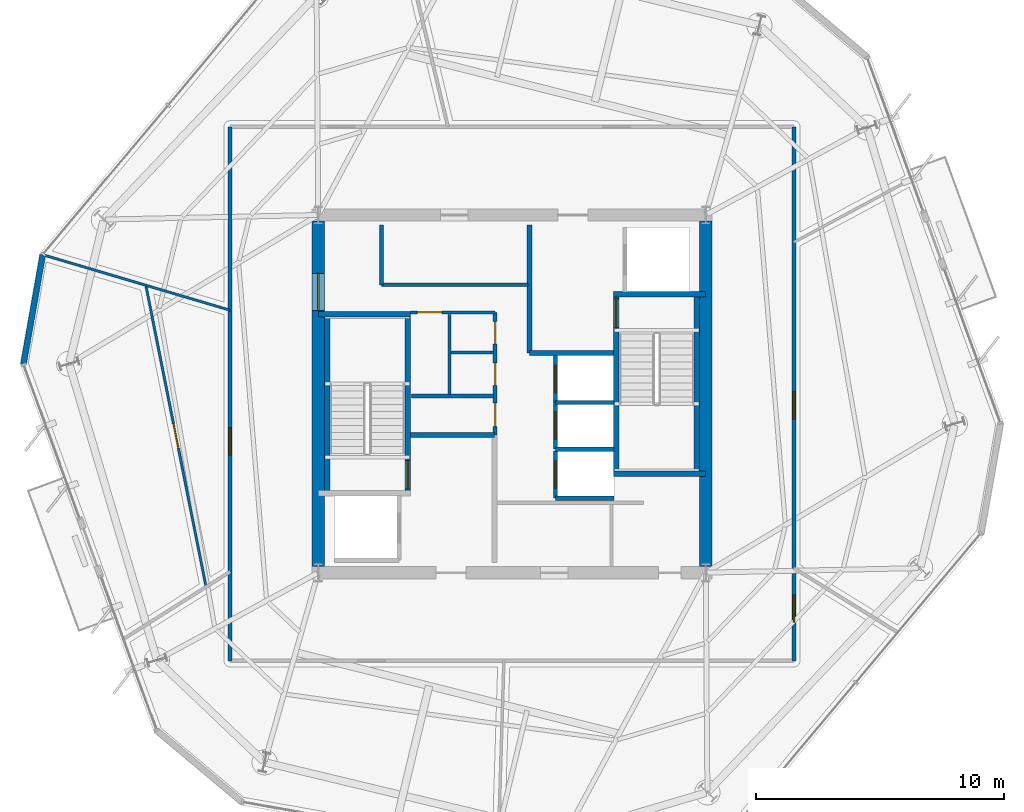
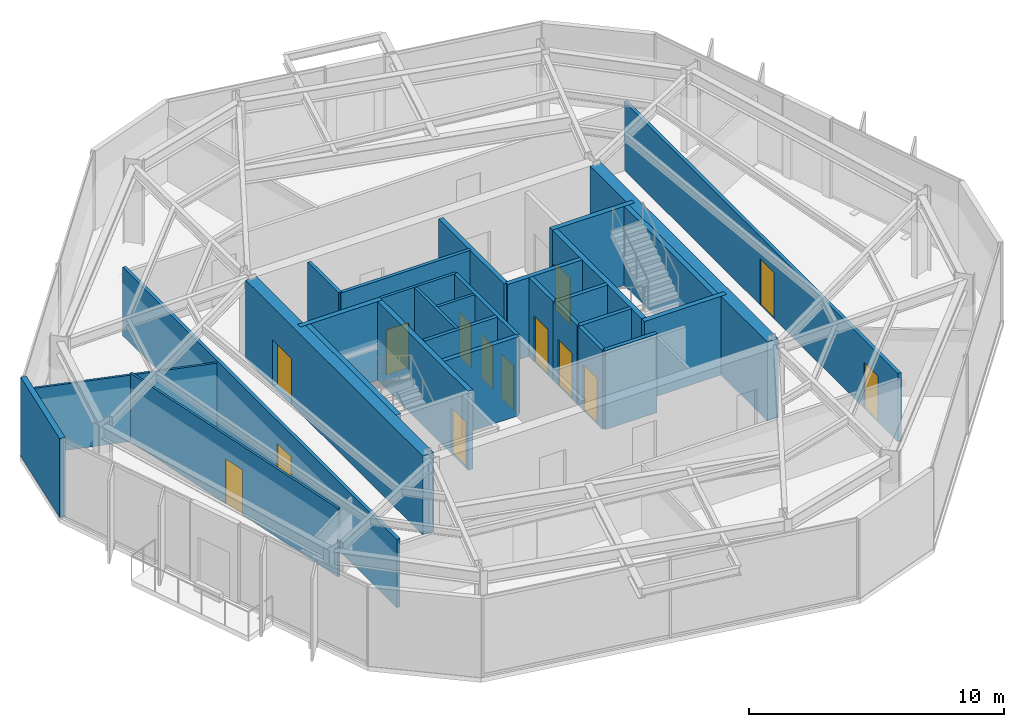
# One storey, part 7 of 11: 30 walls, 14 doors, 14 openings.
"""IFC4 building model written with IfcOpenShell, lengths in metres."""

from ifc_helpers import new_model, si_unit, direction, frame, frame_2d, origin, place, context, subcontext, project, spatial, rectangle, extrude, material, layer, layer_set, type_object, element, fill, save


model = new_model("IFC4")

# Units and contexts
model_context = context("Model", 3, precision=1e-05, world=origin(), true_north=direction((0.0, 1.0)))
body_context = subcontext(model_context, "Body", "Model", "MODEL_VIEW")
ifc_project = project(units=[si_unit("LENGTHUNIT", "METRE"), si_unit("AREAUNIT", "SQUARE_METRE"), si_unit("VOLUMEUNIT", "CUBIC_METRE"), si_unit("PLANEANGLEUNIT", "RADIAN"), si_unit("MASSUNIT", "GRAM", prefix="KILO")], contexts=[model_context])

# Site, building, storey
site_placement = place(None, origin())
site = spatial("IfcSite", under=ifc_project, at=site_placement, CompositionType="ELEMENT")
building_placement = place(site_placement, origin())
building = spatial("IfcBuilding", under=site, at=building_placement, Name="Kranzbogen Civic Tower", CompositionType="ELEMENT")
storey_placement = place(building_placement, frame((0.0, 0.0, 224.800048828125)))
storey = spatial("IfcBuildingStorey", under=building, at=storey_placement, Name="L54", CompositionType="ELEMENT", Elevation=224.800048828125)

# Walls
ifc_material_1 = material(Name="Double-Stud Acoustic Gypsum Partition")
ifc_layer_1 = layer(ifc_material_1, 0.14990234375, Name="Double-Stud Acoustic Gypsum Partition")
ifc_layer_set_1 = layer_set([ifc_layer_1], Name="Double-Stud Acoustic Gypsum Partition")
wall_type_1 = type_object("IfcWallType", Name="Acoustic Corridor and Clinical Partition 150 mm", PredefinedType="PARTITIONING", material=ifc_layer_set_1)
wall_1_placement = place(storey_placement, frame((19.75, 29.389892578125, 0.0), z_axis=(0.0, 0.0, 1.0), x_axis=(1.0, 0.0, 0.0)))
element("IfcWall", 1, at=wall_1_placement, inside=storey, type_object=wall_type_1, Name="L54 digital comms South wall", PredefinedType="PARTITIONING", context=body_context, shape_type="SweptSolid", body=[
    extrude(rectangle(XDim=5.89990234375, YDim=0.14990234375, at=frame_2d((2.949951171875, 0.0))), origin(), (0.0, 0.0, 1.0), 3.780029296875),
])
wall_2_placement = place(storey_placement, frame((19.75, 29.389892578125, 0.0), z_axis=(0.0, 0.0, 1.0), x_axis=(0.0, 1.0, 0.0)))
element("IfcWall", 2, at=wall_2_placement, inside=storey, type_object=wall_type_1, Name="L54 digital comms West wall", PredefinedType="PARTITIONING", context=body_context, shape_type="SweptSolid", body=[
    extrude(rectangle(XDim=2.41015625, YDim=0.14990234375, at=frame_2d((1.205078125, 0.0))), origin(), (0.0, 0.0, 1.0), 3.780029296875),
])

# Wall, openings, doors
wall_3_placement = place(storey_placement, frame((36.35009765625, 35.75, 0.0), z_axis=(0.0, 0.0, 1.0), x_axis=(0.0, -1.0, 0.0)))
wall_3 = element("IfcWall", 3, at=wall_3_placement, inside=storey, type_object=wall_type_1, Name="L54 corridor partition 02", PredefinedType="PARTITIONING", context=body_context, shape_type="SweptSolid", body=[
    extrude(rectangle(XDim=21.5, YDim=0.14990234375, at=frame_2d((10.75, 0.0))), origin(), (0.0, 0.0, 1.0), 3.280029296875),
])
opening_1_placement = place(wall_3_placement, frame((18.840087890625, 0.0, 0.0)))
opening_1 = element("IfcOpeningElement", 4, at=opening_1_placement, cuts=wall_3, Name="Opening D-COR60", PredefinedType="OPENING", context=body_context, shape_type="SweptSolid", body=[
    extrude(rectangle(XDim=1.10009765625, YDim=2.199951171875, at=frame_2d((0.550048828125, 1.10009765625))), frame((0.0, 0.0849609375, 0.0), z_axis=(0.0, -1.0, 0.0), x_axis=(1.0, 0.0, 0.0)), (0.0, 0.0, 1.0), 0.169921875),
])
opening_2_placement = place(wall_3_placement, frame((10.6650390625, 0.0, 0.0)))
opening_2 = element("IfcOpeningElement", 5, at=opening_2_placement, cuts=wall_3, Name="Opening D-COR60", PredefinedType="OPENING", context=body_context, shape_type="SweptSolid", body=[
    extrude(rectangle(XDim=1.10009765625, YDim=2.199951171875, at=frame_2d((0.550048828125, 1.10009765625))), frame((0.0, 0.0849609375, 0.0), z_axis=(0.0, -1.0, 0.0), x_axis=(1.0, 0.0, 0.0)), (0.0, 0.0, 1.0), 0.169921875),
])
ifc_material_2 = material(Name="Oak Timber and Fire Core", Category="wood")
door_type_1 = type_object("IfcDoorType", Name="Corridor Acoustic Fire Door 1100x2200", OperationType="NOTDEFINED", PredefinedType="DOOR", material=ifc_material_2)
door_1_placement = place(opening_1_placement, origin())
door_1 = element("IfcDoor", 6, at=door_1_placement, inside=storey, type_object=door_type_1, Name="L54 Public Delegation Reception door", OperationType="SINGLE_SWING_LEFT", OverallHeight=2.199951171875, OverallWidth=1.10009765625, PredefinedType="DOOR", context=body_context, shape_type="SweptSolid", body=[
    extrude(rectangle(XDim=1.10009765625, YDim=2.199951171875, at=frame_2d((0.550048828125, 1.10009765625))), frame((0.0, 0.02490234375, 0.0), z_axis=(0.0, -1.0, 0.0), x_axis=(1.0, 0.0, 0.0)), (0.0, 0.0, 1.0), 0.050048828125),
])
fill(opening_1, door_1)
door_2_placement = place(opening_2_placement, origin())
door_2 = element("IfcDoor", 7, at=door_2_placement, inside=storey, type_object=door_type_1, Name="L54 Visitor Concierge Foyer door", OperationType="SINGLE_SWING_RIGHT", OverallHeight=2.199951171875, OverallWidth=1.10009765625, PredefinedType="DOOR", context=body_context, shape_type="SweptSolid", body=[
    extrude(rectangle(XDim=1.10009765625, YDim=2.199951171875, at=frame_2d((0.550048828125, 1.10009765625))), frame((0.0, 0.02490234375, 0.0), z_axis=(0.0, -1.0, 0.0), x_axis=(1.0, 0.0, 0.0)), (0.0, 0.0, 1.0), 0.050048828125),
])
fill(opening_2, door_2)

# Wall, opening, door
wall_4_placement = place(storey_placement, frame((13.64990234375, 14.25, 0.0), z_axis=(0.0, 0.0, 1.0), x_axis=(0.0, 1.0, 0.0)))
wall_4 = element("IfcWall", 8, at=wall_4_placement, inside=storey, type_object=wall_type_1, Name="L54 corridor partition 04", PredefinedType="PARTITIONING", context=body_context, shape_type="SweptSolid", body=[
    extrude(rectangle(XDim=21.5, YDim=0.14990234375, at=frame_2d((10.75, 0.0))), origin(), (0.0, 0.0, 1.0), 3.280029296875),
])
opening_3_placement = place(wall_4_placement, frame((8.284912109375, 0.0, 0.0)))
opening_3 = element("IfcOpeningElement", 9, at=opening_3_placement, cuts=wall_4, Name="Opening D-COR60", PredefinedType="OPENING", context=body_context, shape_type="SweptSolid", body=[
    extrude(rectangle(XDim=1.10009765625, YDim=2.199951171875, at=frame_2d((0.550048828125, 1.10009765625))), frame((0.0, 0.0849609375, 0.0), z_axis=(0.0, -1.0, 0.0), x_axis=(1.0, 0.0, 0.0)), (0.0, 0.0, 1.0), 0.169921875),
])
door_3_placement = place(opening_3_placement, origin())
door_3 = element("IfcDoor", 10, at=door_3_placement, inside=storey, type_object=door_type_1, Name="L54 Delegates Sitting Lounge door", OperationType="SINGLE_SWING_RIGHT", OverallHeight=2.199951171875, OverallWidth=1.10009765625, PredefinedType="DOOR", context=body_context, shape_type="SweptSolid", body=[
    extrude(rectangle(XDim=1.10009765625, YDim=2.199951171875, at=frame_2d((0.550048828125, 1.10009765625))), frame((0.0, 0.02490234375, 0.0), z_axis=(0.0, -1.0, 0.0), x_axis=(1.0, 0.0, 0.0)), (0.0, 0.0, 1.0), 0.050048828125),
])
fill(opening_3, door_3)

ifc_material_3 = material(Name="Insulated Metal-Stud Gypsum Partition")
ifc_layer_2 = layer(ifc_material_3, 0.125, Name="Insulated Metal-Stud Gypsum Partition")
ifc_layer_set_2 = layer_set([ifc_layer_2], Name="Insulated Metal-Stud Gypsum Partition")
wall_type_2 = type_object("IfcWallType", Name="Acoustic Inter-Room Partition 125 mm", PredefinedType="PARTITIONING", material=ifc_layer_set_2)
wall_5_placement = place(storey_placement, frame((20.919921875, 28.280029296875, 0.0), z_axis=(0.0, 0.0, 1.0), x_axis=(1.0, 0.0, 0.0)))
wall_5 = element("IfcWall", 11, at=wall_5_placement, inside=storey, type_object=wall_type_2, Name="L54 core auxiliary North wall", PredefinedType="PARTITIONING", context=body_context, shape_type="SweptSolid", body=[
    extrude(rectangle(XDim=3.405029296875, YDim=0.125, at=frame_2d((1.70263671875, 0.0))), origin(), (0.0, 0.0, 1.0), 3.780029296875),
])
opening_4_placement = place(wall_5_placement, frame((0.27001953125, 0.0, 0.0)))
opening_4 = element("IfcOpeningElement", 12, at=opening_4_placement, cuts=wall_5, Name="Opening D-RSR10", PredefinedType="OPENING", context=body_context, shape_type="SweptSolid", body=[
    extrude(rectangle(XDim=1.0, YDim=2.14990234375, at=frame_2d((0.5, 1.074951171875))), frame((0.0, 0.072509765625, 0.0), z_axis=(0.0, -1.0, 0.0), x_axis=(1.0, 0.0, 0.0)), (0.0, 0.0, 1.0), 0.14501953125),
])
door_type_2 = type_object("IfcDoorType", Name="Core Archive and Riser Fire Door 1000x2150", OperationType="NOTDEFINED", PredefinedType="DOOR", material=ifc_material_2)
door_4_placement = place(opening_4_placement, origin())
door_4 = element("IfcDoor", 13, at=door_4_placement, inside=storey, type_object=door_type_2, Name="L54 Floor Supply Store door", OperationType="SINGLE_SWING_RIGHT", OverallHeight=2.14990234375, OverallWidth=1.0, PredefinedType="DOOR", context=body_context, shape_type="SweptSolid", body=[
    extrude(rectangle(XDim=1.0, YDim=2.14990234375, at=frame_2d((0.5, 1.074951171875))), frame((0.0, 0.02490234375, 0.0), z_axis=(0.0, -1.0, 0.0), x_axis=(1.0, 0.0, 0.0)), (0.0, 0.0, 1.0), 0.050048828125),
])
fill(opening_4, door_4)

# Walls
wall_6_placement = place(storey_placement, frame((22.489990234375, 24.969970703125, 0.0), z_axis=(0.0, 0.0, 1.0), x_axis=(0.0, 1.0, 0.0)))
element("IfcWall", 14, at=wall_6_placement, inside=storey, type_object=wall_type_2, Name="L54 core auxiliary partition 3", PredefinedType="PARTITIONING", context=body_context, shape_type="SweptSolid", body=[
    extrude(rectangle(XDim=3.22998046875, YDim=0.125, at=frame_2d((1.614990234375, 0.0))), origin(), (0.0, 0.0, 1.0), 3.780029296875),
])
wall_7_placement = place(storey_placement, frame((22.550048828125, 26.659912109375, 0.0), z_axis=(0.0, 0.0, 1.0), x_axis=(1.0, 0.0, 0.0)))
element("IfcWall", 15, at=wall_7_placement, inside=storey, type_object=wall_type_2, Name="L54 core auxiliary partition 4", PredefinedType="PARTITIONING", context=body_context, shape_type="SweptSolid", body=[
    extrude(rectangle(XDim=1.699951171875, YDim=0.125, at=frame_2d((0.85009765625, 0.0))), origin(), (0.0, 0.0, 1.0), 3.780029296875),
])

# Wall, opening, door
ifc_material_4 = material(Name="Concrete C45/55", Category="concrete")
ifc_layer_3 = layer(ifc_material_4, 0.5, Name="Concrete C45/55")
ifc_layer_set_3 = layer_set([ifc_layer_3], Name="Concrete C45/55")
wall_type_3 = type_object("IfcWallType", Name="Central Core Shear Wall 500 mm", PredefinedType="SHEAR", material=ifc_layer_set_3)
wall_8_placement = place(storey_placement, frame((17.199951171875, 31.949951171875, 0.0), z_axis=(0.0, 0.0, 1.0), x_axis=(0.0, -1.0, 0.0)))
wall_8 = element("IfcWall", 16, at=wall_8_placement, inside=storey, type_object=wall_type_3, Name="L54 central core West shear wall", PredefinedType="SHEAR", context=body_context, shape_type="SweptSolid", body=[
    extrude(rectangle(XDim=13.89990234375, YDim=0.5, at=frame_2d((6.949951171875, 0.0))), origin(), (0.0, 0.0, 1.0), 3.780029296875),
])
opening_5_placement = place(wall_8_placement, frame((2.10009765625, 0.0, 0.0)))
opening_5 = element("IfcOpeningElement", 17, at=opening_5_placement, cuts=wall_8, Name="Opening D-DBL15", PredefinedType="OPENING", context=body_context, shape_type="SweptSolid", body=[
    extrude(rectangle(XDim=1.5, YDim=2.199951171875, at=frame_2d((0.75, 1.10009765625))), frame((0.0, 0.260009765625, 0.0), z_axis=(0.0, -1.0, 0.0), x_axis=(1.0, 0.0, 0.0)), (0.0, 0.0, 1.0), 0.52001953125),
])
ifc_material_5 = material(Name="Anodised Bronze and Glass", Category="glass")
door_type_3 = type_object("IfcDoorType", Name="Civic Lobby Double Door 1500x2200", OperationType="DOUBLE_DOOR_SINGLE_SWING", PredefinedType="DOOR", material=ifc_material_5)
door_5_placement = place(opening_5_placement, origin())
door_5 = element("IfcDoor", 18, at=door_5_placement, inside=storey, type_object=door_type_3, Name="L54 Central Lift Lobby West concourse door", OperationType="DOUBLE_DOOR_SINGLE_SWING", OverallHeight=2.199951171875, OverallWidth=1.5, PredefinedType="DOOR", context=body_context, shape_type="SweptSolid", body=[
    extrude(rectangle(XDim=1.5, YDim=2.199951171875, at=frame_2d((0.75, 1.10009765625))), frame((0.0, 0.02490234375, 0.0), z_axis=(0.0, -1.0, 0.0), x_axis=(1.0, 0.0, 0.0)), (0.0, 0.0, 1.0), 0.050048828125),
])
fill(opening_5, door_5)

# Wall
wall_9_placement = place(storey_placement, frame((32.800048828125, 18.050048828125, 0.0), z_axis=(0.0, 0.0, 1.0), x_axis=(0.0, 1.0, 0.0)))
element("IfcWall", 19, at=wall_9_placement, inside=storey, type_object=wall_type_3, Name="L54 central core East shear wall", PredefinedType="SHEAR", context=body_context, shape_type="SweptSolid", body=[
    extrude(rectangle(XDim=13.89990234375, YDim=0.5, at=frame_2d((6.949951171875, 0.0))), origin(), (0.0, 0.0, 1.0), 3.780029296875),
])

# Wall, opening, door
ifc_layer_4 = layer(ifc_material_4, 0.219970703125, Name="Concrete C45/55")
ifc_layer_set_4 = layer_set([ifc_layer_4], Name="Concrete C45/55")
wall_type_4 = type_object("IfcWallType", Name="Core Internal Stair Structural Wall 220 mm", PredefinedType="SOLIDWALL", material=ifc_layer_set_4)
wall_10_placement = place(storey_placement, frame((20.81005859375, 20.989990234375, 0.0), z_axis=(0.0, 0.0, 1.0), x_axis=(0.0, 1.0, 0.0)))
wall_10 = element("IfcWall", 20, at=wall_10_placement, inside=storey, type_object=wall_type_4, Name="L54 ST-T1 East structural stair wall", PredefinedType="SOLIDWALL", context=body_context, shape_type="SweptSolid", body=[
    extrude(rectangle(XDim=7.219970703125, YDim=0.219970703125, at=frame_2d((3.60986328125, 0.0))), origin(), (0.0, 0.0, 1.0), 3.780029296875),
])
opening_6_placement = place(wall_10_placement, frame((0.179931640625, 0.0, 0.0)))
opening_6 = element("IfcOpeningElement", 21, at=opening_6_placement, cuts=wall_10, Name="Opening D-ST90", PredefinedType="OPENING", context=body_context, shape_type="SweptSolid", body=[
    extrude(rectangle(XDim=1.14990234375, YDim=2.199951171875, at=frame_2d((0.574951171875, 1.10009765625))), frame((0.0, 0.1201171875, 0.0), z_axis=(0.0, -1.0, 0.0), x_axis=(1.0, 0.0, 0.0)), (0.0, 0.0, 1.0), 0.239990234375),
])
ifc_material_6 = material(Name="Steel S355", Category="steel")
door_type_4 = type_object("IfcDoorType", Name="Pressurized Stair and Lobby Fire Door 1150x2200", OperationType="NOTDEFINED", PredefinedType="DOOR", material=ifc_material_6)
door_6_placement = place(opening_6_placement, origin())
door_6 = element("IfcDoor", 22, at=door_6_placement, inside=storey, type_object=door_type_4, Name="L54 Stair ST-T1 fire door", OperationType="SINGLE_SWING_LEFT", OverallHeight=2.199951171875, OverallWidth=1.14990234375, PredefinedType="DOOR", context=body_context, shape_type="SweptSolid", body=[
    extrude(rectangle(XDim=1.14990234375, YDim=2.199951171875, at=frame_2d((0.574951171875, 1.10009765625))), frame((0.0, 0.02490234375, 0.0), z_axis=(0.0, -1.0, 0.0), x_axis=(1.0, 0.0, 0.0)), (0.0, 0.0, 1.0), 0.050048828125),
])
fill(opening_6, door_6)

# Walls
wall_11_placement = place(storey_placement, frame((17.199951171875, 28.2099609375, 0.0), z_axis=(0.0, 0.0, 1.0), x_axis=(1.0, 0.0, 0.0)))
element("IfcWall", 23, at=wall_11_placement, inside=storey, type_object=wall_type_4, Name="L54 ST-T1 North structural stair wall", PredefinedType="SOLIDWALL", context=body_context, shape_type="SweptSolid", body=[
    extrude(rectangle(XDim=3.719970703125, YDim=0.219970703125, at=frame_2d((1.85986328125, 0.0))), origin(), (0.0, 0.0, 1.0), 3.780029296875),
])
wall_12_placement = place(storey_placement, frame((17.554931640625, 28.2099609375, 0.0), z_axis=(0.0, 0.0, 1.0), x_axis=(0.0, -1.0, 0.0)))
element("IfcWall", 24, at=wall_12_placement, inside=storey, type_object=wall_type_4, Name="L54 ST-T1 West structural stair wall", PredefinedType="SOLIDWALL", context=body_context, shape_type="SweptSolid", body=[
    extrude(rectangle(XDim=7.219970703125, YDim=0.219970703125, at=frame_2d((3.60986328125, 0.0))), origin(), (0.0, 0.0, 1.0), 3.780029296875),
])

# Wall, opening, door
wall_13_placement = place(storey_placement, frame((29.18994140625, 21.7900390625, 0.0), z_axis=(0.0, 0.0, 1.0), x_axis=(0.0, 1.0, 0.0)))
wall_13 = element("IfcWall", 25, at=wall_13_placement, inside=storey, type_object=wall_type_4, Name="L54 ST-T2 West structural stair wall", PredefinedType="SOLIDWALL", context=body_context, shape_type="SweptSolid", body=[
    extrude(rectangle(XDim=7.219970703125, YDim=0.219970703125, at=frame_2d((3.60986328125, 0.0))), origin(), (0.0, 0.0, 1.0), 3.780029296875),
])
opening_7_placement = place(wall_13_placement, frame((5.8798828125, 0.0, 0.0)))
opening_7 = element("IfcOpeningElement", 26, at=opening_7_placement, cuts=wall_13, Name="Opening D-ST90", PredefinedType="OPENING", context=body_context, shape_type="SweptSolid", body=[
    extrude(rectangle(XDim=1.14990234375, YDim=2.199951171875, at=frame_2d((0.574951171875, 1.10009765625))), frame((0.0, 0.1201171875, 0.0), z_axis=(0.0, -1.0, 0.0), x_axis=(1.0, 0.0, 0.0)), (0.0, 0.0, 1.0), 0.239990234375),
])
door_7_placement = place(opening_7_placement, origin())
door_7 = element("IfcDoor", 27, at=door_7_placement, inside=storey, type_object=door_type_4, Name="L54 Stair ST-T2 fire door", OperationType="SINGLE_SWING_RIGHT", OverallHeight=2.199951171875, OverallWidth=1.14990234375, PredefinedType="DOOR", context=body_context, shape_type="SweptSolid", body=[
    extrude(rectangle(XDim=1.14990234375, YDim=2.199951171875, at=frame_2d((0.574951171875, 1.10009765625))), frame((0.0, 0.02490234375, 0.0), z_axis=(0.0, -1.0, 0.0), x_axis=(1.0, 0.0, 0.0)), (0.0, 0.0, 1.0), 0.050048828125),
])
fill(opening_7, door_7)

# Walls
for number, where, z_axis, x_axis, name in (
    (28, (29.080078125, 21.7900390625, 0.0), (0.0, 0.0, 1.0), (1.0, 0.0, 0.0), "L54 ST-T2 South structural stair wall"),
    (29, (29.080078125, 29.010009765625, 0.0), (0.0, 0.0, 1.0), (1.0, 0.0, 0.0), "L54 ST-T2 North structural stair wall"),
):
    element("IfcWall", number, at=place(storey_placement, frame(where, z_axis=z_axis, x_axis=x_axis)), inside=storey, type_object=wall_type_4, Name=name, PredefinedType="SOLIDWALL", context=body_context, shape_type="SweptSolid", body=[
        extrude(rectangle(XDim=3.719970703125, YDim=0.219970703125, at=frame_2d((1.85986328125, 0.0))), origin(), (0.0, 0.0, 1.0), 3.780029296875),
    ])
wall_14_placement = place(storey_placement, frame((32.445068359375, 29.010009765625, 0.0), z_axis=(0.0, 0.0, 1.0), x_axis=(0.0, -1.0, 0.0)))
element("IfcWall", 30, at=wall_14_placement, inside=storey, type_object=wall_type_4, Name="L54 ST-T2 East structural stair wall", PredefinedType="SOLIDWALL", context=body_context, shape_type="SweptSolid", body=[
    extrude(rectangle(XDim=7.219970703125, YDim=0.219970703125, at=frame_2d((3.60986328125, 0.0))), origin(), (0.0, 0.0, 1.0), 3.780029296875),
])
ifc_material_7 = material(Name="Demountable Aluminium and Gypsum Partition", Category="aluminium")
ifc_layer_5 = layer(ifc_material_7, 0.10009765625, Name="Demountable Aluminium and Gypsum Partition")
ifc_layer_set_5 = layer_set([ifc_layer_5], Name="Demountable Aluminium and Gypsum Partition")
wall_type_5 = type_object("IfcWallType", Name="Demountable Office Partition 100 mm", PredefinedType="MOVABLE", material=ifc_layer_set_5)
wall_15_placement = place(storey_placement, frame((13.64990234375, 28.364990234375, 0.0), z_axis=(0.0, 0.0, 1.0), x_axis=(-0.958774884237, 0.284166714018, 0.0)))
element("IfcWall", 31, at=wall_15_placement, inside=storey, type_object=wall_type_5, Name="L54 radial room partition 02", PredefinedType="MOVABLE", context=body_context, shape_type="SweptSolid", body=[
    extrude(rectangle(XDim=7.847412109375, YDim=0.10009765625, at=frame_2d((3.923828125, 0.0))), origin(), (0.0, 0.0, 1.0), 3.179931640625),
])

# Wall, opening, door
wall_16_placement = place(storey_placement, frame((10.260986328125, 29.35400390625, 0.0), z_axis=(0.0, 0.0, 1.0), x_axis=(0.195937462268, -0.980616393336, 0.0)))
wall_16 = element("IfcWall", 32, at=wall_16_placement, inside=storey, type_object=wall_type_5, Name="L54 suite chord partition 01", PredefinedType="MOVABLE", context=body_context, shape_type="SweptSolid", body=[
    extrude(rectangle(XDim=12.3505859375, YDim=0.10009765625, at=frame_2d((6.17529296875, 0.0))), origin(), (0.0, 0.0, 1.0), 3.280029296875),
])
opening_8_placement = place(wall_16_placement, frame((5.675048828125, 0.0, 0.0)))
opening_8 = element("IfcOpeningElement", 33, at=opening_8_placement, cuts=wall_16, Name="Opening D-OFC10", PredefinedType="OPENING", context=body_context, shape_type="SweptSolid", body=[
    extrude(rectangle(XDim=1.0, YDim=2.14990234375, at=frame_2d((0.5, 1.074951171875))), frame((0.0, 0.06005859375, 0.0), z_axis=(0.0, -1.0, 0.0), x_axis=(1.0, 0.0, 0.0)), (0.0, 0.0, 1.0), 0.1201171875),
])
ifc_material_8 = material(Name="Oak Timber Veneer", Category="wood")
door_type_5 = type_object("IfcDoorType", Name="Standard Office Acoustic Door 1000x2150", OperationType="NOTDEFINED", PredefinedType="DOOR", material=ifc_material_8)
door_8_placement = place(opening_8_placement, origin())
door_8 = element("IfcDoor", 34, at=door_8_placement, inside=storey, type_object=door_type_5, Name="L54 Executive Research Study door", OperationType="SINGLE_SWING_LEFT", OverallHeight=2.14990234375, OverallWidth=1.0, PredefinedType="DOOR", context=body_context, shape_type="SweptSolid", body=[
    extrude(rectangle(XDim=1.0, YDim=2.14990234375, at=frame_2d((0.5, 1.074951171875))), frame((0.0, 0.02490234375, 0.0), z_axis=(0.0, -1.0, 0.0), x_axis=(1.0, 0.0, 0.0)), (0.0, 0.0, 1.0), 0.050048828125),
])
fill(opening_8, door_8)

# Walls
ifc_material_9 = material(Name="Gypsum Fireboard and Concrete Block", Category="concrete")
ifc_layer_6 = layer(ifc_material_9, 0.199951171875, Name="Gypsum Fireboard and Concrete Block")
ifc_layer_set_6 = layer_set([ifc_layer_6], Name="Gypsum Fireboard and Concrete Block")
wall_type_6 = type_object("IfcWallType", Name="Fire-Rated Exit Passageway and Stair Wall 200 mm", PredefinedType="PARTITIONING", material=ifc_layer_set_6)
wall_17_placement = place(storey_placement, frame((20.919921875, 23.35009765625, 0.0), z_axis=(0.0, 0.0, 1.0), x_axis=(1.0, 0.0, 0.0)))
element("IfcWall", 35, at=wall_17_placement, inside=storey, type_object=wall_type_6, Name="L54 West firefighting lobby North wall", PredefinedType="PARTITIONING", context=body_context, shape_type="SweptSolid", body=[
    extrude(rectangle(XDim=3.380126953125, YDim=0.199951171875, at=frame_2d((1.68994140625, 0.0))), origin(), (0.0, 0.0, 1.0), 3.780029296875),
])
wall_18_placement = place(storey_placement, frame((25.699951171875, 26.64990234375, 0.0), z_axis=(0.0, 0.0, 1.0), x_axis=(0.0, 1.0, 0.0)))
element("IfcWall", 36, at=wall_18_placement, inside=storey, type_object=wall_type_6, Name="L54 East firefighting lobby West wall", PredefinedType="PARTITIONING", context=body_context, shape_type="SweptSolid", body=[
    extrude(rectangle(XDim=5.150146484375, YDim=0.199951171875, at=frame_2d((2.5751953125, 0.0))), origin(), (0.0, 0.0, 1.0), 3.780029296875),
])
wall_19_placement = place(storey_placement, frame((25.699951171875, 26.64990234375, 0.0), z_axis=(0.0, 0.0, 1.0), x_axis=(1.0, 0.0, 0.0)))
element("IfcWall", 37, at=wall_19_placement, inside=storey, type_object=wall_type_6, Name="L54 East firefighting lobby South wall", PredefinedType="PARTITIONING", context=body_context, shape_type="SweptSolid", body=[
    extrude(rectangle(XDim=3.380126953125, YDim=0.199951171875, at=frame_2d((1.68994140625, 0.0))), origin(), (0.0, 0.0, 1.0), 3.780029296875),
])

# Wall, opening, door
ifc_material_10 = material(Name="Gypsum Fireboard Shaftliner")
ifc_layer_7 = layer(ifc_material_10, 0.175048828125, Name="Gypsum Fireboard Shaftliner")
ifc_layer_set_7 = layer_set([ifc_layer_7], Name="Gypsum Fireboard Shaftliner")
wall_type_7 = type_object("IfcWallType", Name="Fire-Rated Lift and Service Shaft Wall 175 mm", PredefinedType="PARTITIONING", material=ifc_layer_set_7)
wall_20_placement = place(storey_placement, frame((26.75, 20.800048828125, 0.0), z_axis=(0.0, 0.0, 1.0), x_axis=(0.0, 1.0, 0.0)))
wall_20 = element("IfcWall", 38, at=wall_20_placement, inside=storey, type_object=wall_type_7, Name="L54 lift HP-01 landing wall", PredefinedType="PARTITIONING", context=body_context, shape_type="SweptSolid", body=[
    extrude(rectangle(XDim=1.89990234375, YDim=0.175048828125, at=frame_2d((0.949951171875, 0.0))), origin(), (0.0, 0.0, 1.0), 3.780029296875),
])
opening_9_placement = place(wall_20_placement, frame((0.39990234375, 0.0, 0.0)))
opening_9 = element("IfcOpeningElement", 39, at=opening_9_placement, cuts=wall_20, Name="Opening LD-HP-01", PredefinedType="OPENING", context=body_context, shape_type="SweptSolid", body=[
    extrude(rectangle(XDim=1.10009765625, YDim=2.199951171875, at=frame_2d((0.550048828125, 1.10009765625))), frame((0.0, 0.09765625, 0.0), z_axis=(0.0, -1.0, 0.0), x_axis=(1.0, 0.0, 0.0)), (0.0, 0.0, 1.0), 0.195068359375),
])
ifc_material_11 = material(Name="Pale Anodised Aluminium", Category="aluminium")
door_type_6 = type_object("IfcDoorType", Name="Passenger Lift Sliding Landing Door 1100x2200", OperationType="DOUBLE_DOOR_SLIDING", PredefinedType="DOOR", material=ifc_material_11)
door_9_placement = place(opening_9_placement, origin())
door_9 = element("IfcDoor", 40, at=door_9_placement, inside=storey, type_object=door_type_6, Name="L54 lift HP-01 sliding landing door", OperationType="DOUBLE_DOOR_SLIDING", OverallHeight=2.199951171875, OverallWidth=1.10009765625, PredefinedType="DOOR", context=body_context, shape_type="SweptSolid", body=[
    extrude(rectangle(XDim=1.10009765625, YDim=2.199951171875, at=frame_2d((0.550048828125, 1.10009765625))), frame((0.0, 0.02490234375, 0.0), z_axis=(0.0, -1.0, 0.0), x_axis=(1.0, 0.0, 0.0)), (0.0, 0.0, 1.0), 0.050048828125),
])
fill(opening_9, door_9)

# Wall
wall_21_placement = place(storey_placement, frame((26.75, 20.800048828125, 0.0), z_axis=(0.0, 0.0, 1.0), x_axis=(1.0, 0.0, 0.0)))
element("IfcWall", 41, at=wall_21_placement, inside=storey, type_object=wall_type_7, Name="L54 lift HP-01 side wall", PredefinedType="PARTITIONING", context=body_context, shape_type="SweptSolid", body=[
    extrude(rectangle(XDim=2.35009765625, YDim=0.175048828125, at=frame_2d((1.175048828125, 0.0))), origin(), (0.0, 0.0, 1.0), 3.780029296875),
])

# Wall, opening, door
wall_22_placement = place(storey_placement, frame((26.75, 22.77490234375, 0.0), z_axis=(0.0, 0.0, 1.0), x_axis=(0.0, 1.0, 0.0)))
wall_22 = element("IfcWall", 42, at=wall_22_placement, inside=storey, type_object=wall_type_7, Name="L54 lift HP-02 landing wall", PredefinedType="PARTITIONING", context=body_context, shape_type="SweptSolid", body=[
    extrude(rectangle(XDim=1.900146484375, YDim=0.175048828125, at=frame_2d((0.9501953125, 0.0))), origin(), (0.0, 0.0, 1.0), 3.780029296875),
])
opening_10_placement = place(wall_22_placement, frame((0.39990234375, 0.0, 0.0)))
opening_10 = element("IfcOpeningElement", 43, at=opening_10_placement, cuts=wall_22, Name="Opening LD-HP-02", PredefinedType="OPENING", context=body_context, shape_type="SweptSolid", body=[
    extrude(rectangle(XDim=1.10009765625, YDim=2.199951171875, at=frame_2d((0.550048828125, 1.10009765625))), frame((0.0, 0.09765625, 0.0), z_axis=(0.0, -1.0, 0.0), x_axis=(1.0, 0.0, 0.0)), (0.0, 0.0, 1.0), 0.195068359375),
])
door_10_placement = place(opening_10_placement, origin())
door_10 = element("IfcDoor", 44, at=door_10_placement, inside=storey, type_object=door_type_6, Name="L54 lift HP-02 sliding landing door", OperationType="DOUBLE_DOOR_SLIDING", OverallHeight=2.199951171875, OverallWidth=1.10009765625, PredefinedType="DOOR", context=body_context, shape_type="SweptSolid", body=[
    extrude(rectangle(XDim=1.10009765625, YDim=2.199951171875, at=frame_2d((0.550048828125, 1.10009765625))), frame((0.0, 0.02490234375, 0.0), z_axis=(0.0, -1.0, 0.0), x_axis=(1.0, 0.0, 0.0)), (0.0, 0.0, 1.0), 0.050048828125),
])
fill(opening_10, door_10)

# Wall
wall_23_placement = place(storey_placement, frame((26.75, 22.77490234375, 0.0), z_axis=(0.0, 0.0, 1.0), x_axis=(1.0, 0.0, 0.0)))
element("IfcWall", 45, at=wall_23_placement, inside=storey, type_object=wall_type_7, Name="L54 lift HP-02 side wall", PredefinedType="PARTITIONING", context=body_context, shape_type="SweptSolid", body=[
    extrude(rectangle(XDim=2.35009765625, YDim=0.175048828125, at=frame_2d((1.175048828125, 0.0))), origin(), (0.0, 0.0, 1.0), 3.780029296875),
])

# Wall, opening, door
wall_24_placement = place(storey_placement, frame((26.75, 24.64990234375, 0.0), z_axis=(0.0, 0.0, 1.0), x_axis=(0.0, 1.0, 0.0)))
wall_24 = element("IfcWall", 46, at=wall_24_placement, inside=storey, type_object=wall_type_7, Name="L54 lift HP-03 landing wall", PredefinedType="PARTITIONING", context=body_context, shape_type="SweptSolid", body=[
    extrude(rectangle(XDim=1.900146484375, YDim=0.175048828125, at=frame_2d((0.9501953125, 0.0))), origin(), (0.0, 0.0, 1.0), 3.780029296875),
])
opening_11_placement = place(wall_24_placement, frame((0.39990234375, 0.0, 0.0)))
opening_11 = element("IfcOpeningElement", 47, at=opening_11_placement, cuts=wall_24, Name="Opening LD-HP-03", PredefinedType="OPENING", context=body_context, shape_type="SweptSolid", body=[
    extrude(rectangle(XDim=1.10009765625, YDim=2.199951171875, at=frame_2d((0.550048828125, 1.10009765625))), frame((0.0, 0.09765625, 0.0), z_axis=(0.0, -1.0, 0.0), x_axis=(1.0, 0.0, 0.0)), (0.0, 0.0, 1.0), 0.195068359375),
])
door_11_placement = place(opening_11_placement, origin())
door_11 = element("IfcDoor", 48, at=door_11_placement, inside=storey, type_object=door_type_6, Name="L54 lift HP-03 sliding landing door", OperationType="DOUBLE_DOOR_SLIDING", OverallHeight=2.199951171875, OverallWidth=1.10009765625, PredefinedType="DOOR", context=body_context, shape_type="SweptSolid", body=[
    extrude(rectangle(XDim=1.10009765625, YDim=2.199951171875, at=frame_2d((0.550048828125, 1.10009765625))), frame((0.0, 0.02490234375, 0.0), z_axis=(0.0, -1.0, 0.0), x_axis=(1.0, 0.0, 0.0)), (0.0, 0.0, 1.0), 0.050048828125),
])
fill(opening_11, door_11)

# Walls
wall_25_placement = place(storey_placement, frame((26.75, 24.64990234375, 0.0), z_axis=(0.0, 0.0, 1.0), x_axis=(1.0, 0.0, 0.0)))
element("IfcWall", 49, at=wall_25_placement, inside=storey, type_object=wall_type_7, Name="L54 lift HP-03 side wall", PredefinedType="PARTITIONING", context=body_context, shape_type="SweptSolid", body=[
    extrude(rectangle(XDim=2.35009765625, YDim=0.175048828125, at=frame_2d((1.175048828125, 0.0))), origin(), (0.0, 0.0, 1.0), 3.780029296875),
])
ifc_layer_8 = layer(ifc_material_11, 0.239990234375, Name="Pale Anodised Aluminium")
ifc_layer_set_8 = layer_set([ifc_layer_8], Name="Pale Anodised Aluminium")
wall_type_8 = type_object("IfcWallType", Name="Insulated Aluminium Facade Portal Wall 240 mm", PredefinedType="STANDARD", material=ifc_layer_set_8)
wall_26_placement = place(storey_placement, frame((6.10791015625, 30.60009765625, 0.0), z_axis=(0.0, 0.0, 1.0), x_axis=(-0.173613925281, -0.984813792018, 0.0)))
element("IfcWall", 50, at=wall_26_placement, inside=storey, type_object=wall_type_8, Name="L54 chamfered corner facade spandrel 2", PredefinedType="STANDARD", context=body_context, shape_type="SweptSolid", body=[
    extrude(rectangle(XDim=4.468994140625, YDim=0.239990234375, at=frame_2d((2.234375, 0.0))), origin(), (0.0, 0.0, 1.0), 3.780029296875),
])

# Wall, openings, doors
ifc_material_12 = material(Name="Moisture-Resistant Gypsum Assembly")
ifc_layer_9 = layer(ifc_material_12, 0.159912109375, Name="Moisture-Resistant Gypsum Assembly")
ifc_layer_set_9 = layer_set([ifc_layer_9], Name="Moisture-Resistant Gypsum Assembly")
wall_type_9 = type_object("IfcWallType", Name="Sanitary and Plumbing Wet Wall 160 mm", PredefinedType="PLUMBINGWALL", material=ifc_layer_set_9)
wall_27_placement = place(storey_placement, frame((24.324951171875, 23.35009765625, 0.0), z_axis=(0.0, 0.0, 1.0), x_axis=(0.0, 1.0, 0.0)))
wall_27 = element("IfcWall", 51, at=wall_27_placement, inside=storey, type_object=wall_type_9, Name="L54 core auxiliary East wall", PredefinedType="PLUMBINGWALL", context=body_context, shape_type="SweptSolid", body=[
    extrude(rectangle(XDim=4.929931640625, YDim=0.159912109375, at=frame_2d((2.46484375, 0.0))), origin(), (0.0, 0.0, 1.0), 3.780029296875),
])
opening_12_placement = place(wall_27_placement, frame((0.324951171875, 0.0, 0.0)))
opening_12 = element("IfcOpeningElement", 52, at=opening_12_placement, cuts=wall_27, Name="Opening D-AWC95", PredefinedType="OPENING", context=body_context, shape_type="SweptSolid", body=[
    extrude(rectangle(XDim=0.949951171875, YDim=2.10009765625, at=frame_2d((0.47509765625, 1.050048828125))), frame((0.0, 0.08984375, 0.0), z_axis=(0.0, -1.0, 0.0), x_axis=(1.0, 0.0, 0.0)), (0.0, 0.0, 1.0), 0.179931640625),
])
opening_13_placement = place(wall_27_placement, frame((1.985107421875, 0.0, 0.0)))
opening_13 = element("IfcOpeningElement", 53, at=opening_13_placement, cuts=wall_27, Name="Opening D-WC90", PredefinedType="OPENING", context=body_context, shape_type="SweptSolid", body=[
    extrude(rectangle(XDim=0.89990234375, YDim=2.10009765625, at=frame_2d((0.449951171875, 1.050048828125))), frame((0.0, 0.08984375, 0.0), z_axis=(0.0, -1.0, 0.0), x_axis=(1.0, 0.0, 0.0)), (0.0, 0.0, 1.0), 0.179931640625),
])
opening_14_placement = place(wall_27_placement, frame((3.659912109375, 0.0, 0.0)))
opening_14 = element("IfcOpeningElement", 54, at=opening_14_placement, cuts=wall_27, Name="Opening D-WC90", PredefinedType="OPENING", context=body_context, shape_type="SweptSolid", body=[
    extrude(rectangle(XDim=0.89990234375, YDim=2.10009765625, at=frame_2d((0.449951171875, 1.050048828125))), frame((0.0, 0.08984375, 0.0), z_axis=(0.0, -1.0, 0.0), x_axis=(1.0, 0.0, 0.0)), (0.0, 0.0, 1.0), 0.179931640625),
])
ifc_material_13 = material(Name="Moisture-Resistant Laminate")
door_type_7 = type_object("IfcDoorType", Name="Accessible Restroom Door 950x2100", OperationType="NOTDEFINED", PredefinedType="DOOR", material=ifc_material_13)
door_12_placement = place(opening_12_placement, origin())
door_12 = element("IfcDoor", 55, at=door_12_placement, inside=storey, type_object=door_type_7, Name="L54 Accessible Restroom door", OperationType="SINGLE_SWING_LEFT", OverallHeight=2.10009765625, OverallWidth=0.949951171875, PredefinedType="DOOR", context=body_context, shape_type="SweptSolid", body=[
    extrude(rectangle(XDim=0.949951171875, YDim=2.10009765625, at=frame_2d((0.47509765625, 1.050048828125))), frame((0.0, 0.02490234375, 0.0), z_axis=(0.0, -1.0, 0.0), x_axis=(1.0, 0.0, 0.0)), (0.0, 0.0, 1.0), 0.050048828125),
])
fill(opening_12, door_12)
door_type_8 = type_object("IfcDoorType", Name="Standard Restroom and Store Door 900x2100", OperationType="NOTDEFINED", PredefinedType="DOOR", material=ifc_material_13)
door_13_placement = place(opening_13_placement, origin())
door_13 = element("IfcDoor", 56, at=door_13_placement, inside=storey, type_object=door_type_8, Name="L54 Gender-Neutral Restroom door", OperationType="SINGLE_SWING_RIGHT", OverallHeight=2.10009765625, OverallWidth=0.89990234375, PredefinedType="DOOR", context=body_context, shape_type="SweptSolid", body=[
    extrude(rectangle(XDim=0.89990234375, YDim=2.10009765625, at=frame_2d((0.449951171875, 1.050048828125))), frame((0.0, 0.02490234375, 0.0), z_axis=(0.0, -1.0, 0.0), x_axis=(1.0, 0.0, 0.0)), (0.0, 0.0, 1.0), 0.050048828125),
])
fill(opening_13, door_13)
door_14_placement = place(opening_14_placement, origin())
door_14 = element("IfcDoor", 57, at=door_14_placement, inside=storey, type_object=door_type_8, Name="L54 Floor IT Patch Closet door", OperationType="SINGLE_SWING_LEFT", OverallHeight=2.10009765625, OverallWidth=0.89990234375, PredefinedType="DOOR", context=body_context, shape_type="SweptSolid", body=[
    extrude(rectangle(XDim=0.89990234375, YDim=2.10009765625, at=frame_2d((0.449951171875, 1.050048828125))), frame((0.0, 0.02490234375, 0.0), z_axis=(0.0, -1.0, 0.0), x_axis=(1.0, 0.0, 0.0)), (0.0, 0.0, 1.0), 0.050048828125),
])
fill(opening_14, door_14)

# Wall
wall_28_placement = place(storey_placement, frame((20.949951171875, 24.909912109375, 0.0), z_axis=(0.0, 0.0, 1.0), x_axis=(1.0, 0.0, 0.0)))
element("IfcWall", 58, at=wall_28_placement, inside=storey, type_object=wall_type_9, Name="L54 core auxiliary partition 2", PredefinedType="PLUMBINGWALL", context=body_context, shape_type="SweptSolid", body=[
    extrude(rectangle(XDim=3.300048828125, YDim=0.159912109375, at=frame_2d((1.64990234375, 0.0))), origin(), (0.0, 0.0, 1.0), 3.780029296875),
])

save(model, "model.ifc")
